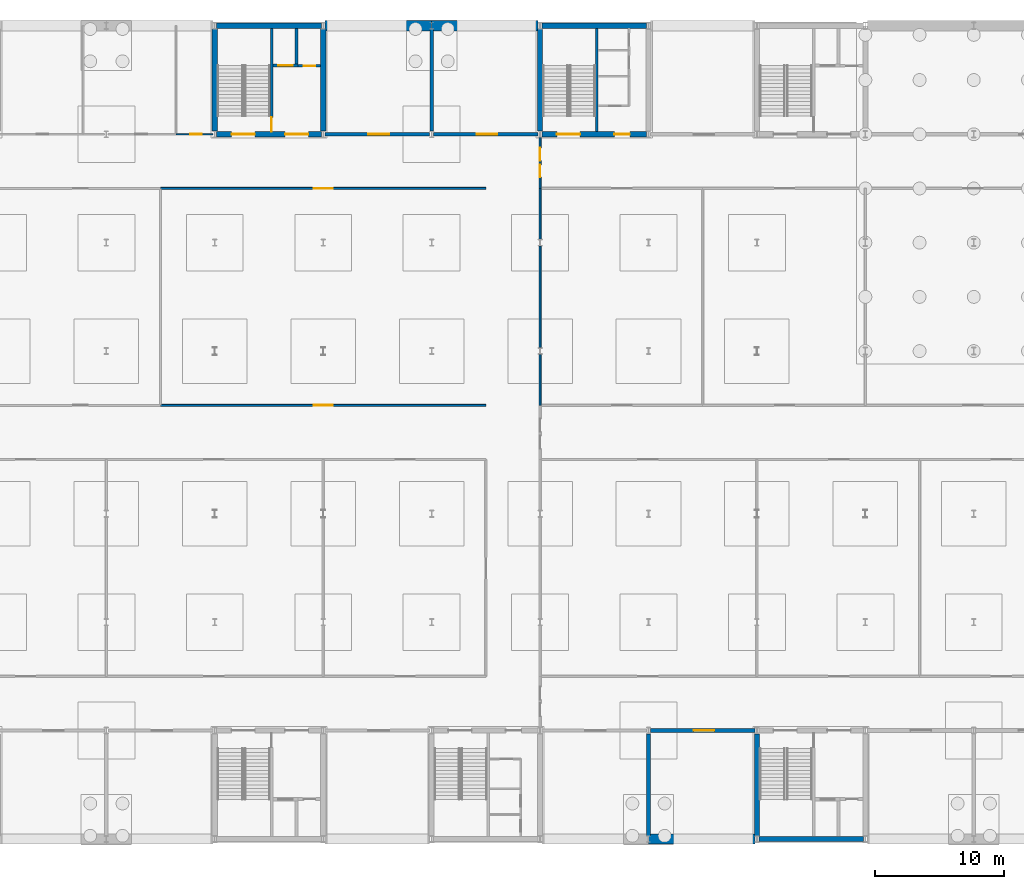
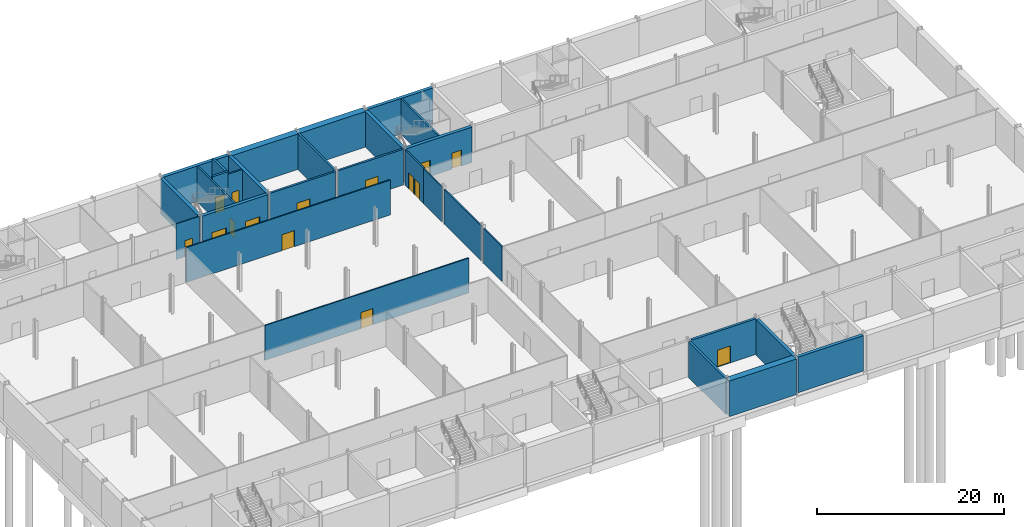
# One storey, part 15 of 22: 29 walls, 15 doors, 15 openings.
"""IFC4 building model written with IfcOpenShell, lengths in metres."""

import ifcopenshell
import ifcopenshell.guid

model = None  # the IFC model being written
_history = None  # IfcOwnerHistory: only IFC2X3 demands one
_inside = {}  # id of a spatial element -> (the spatial element, [elements in it])
_under = {}  # id of a project, library or spatial element -> (it, [spatial elements below it])
_declared = {}  # id of a project -> (the project, [libraries it declares])
_typed = {}  # id of a type object -> (the type object, [elements of that type])
_made_of = {}  # id of a material, layer set ... -> (it, [elements and type objects made of it])


def new_model(schema):
    """Start an empty IFC model of exactly this schema.

    Asked for "IFC4X3", IfcOpenShell would pick the latest addendum, in which some entities
    have other attributes; the version numbers below select the first issue.
    IFC2X3 requires an IfcOwnerHistory on every rooted entity: one is made here for all.
    """
    global model, _history
    if schema == "IFC4X3":
        model = ifcopenshell.file(schema_version=(4, 3, 0, 0))
    else:
        model = ifcopenshell.file(schema=schema)
    _inside.clear()
    _under.clear()
    _declared.clear()
    _typed.clear()
    _made_of.clear()
    _history = None
    if model.schema == "IFC2X3":
        org = make("IfcOrganization", Name="unknown")
        user = make(
            "IfcPersonAndOrganization",
            ThePerson=make("IfcPerson", FamilyName="unknown"),
            TheOrganization=org,
        )
        app = make(
            "IfcApplication",
            ApplicationDeveloper=org,
            Version="unknown",
            ApplicationFullName="unknown",
            ApplicationIdentifier="unknown",
        )
        _history = make(
            "IfcOwnerHistory",
            OwningUser=user,
            OwningApplication=app,
            ChangeAction="ADDED",
            CreationDate=0,
        )
    return model


def make(cls, **values):
    """One entity of the class cls with the attributes given. An attribute that is None is left unset."""
    return model.create_entity(
        cls, **{name: value for name, value in values.items() if value is not None}
    )


def rooted(cls, **values):
    """An entity with a GlobalId (a new one), such as an element, a storey or a relation."""
    return make(cls, GlobalId=ifcopenshell.guid.new(), OwnerHistory=_history, **values)


def si_unit(unit_type, name, prefix=None):
    """IfcSIUnit, for example si_unit("LENGTHUNIT", "METRE", prefix="MILLI")."""
    return make("IfcSIUnit", UnitType=unit_type, Prefix=prefix, Name=name)


def assignment(units):
    """IfcUnitAssignment: the units of a project."""
    return None if units is None else make("IfcUnitAssignment", Units=units)


def point(xyz):
    """IfcCartesianPoint."""
    return None if xyz is None else make("IfcCartesianPoint", Coordinates=xyz)


def direction(xyz):
    """IfcDirection."""
    return None if xyz is None else make("IfcDirection", DirectionRatios=xyz)


def frame(location, z_axis=None, x_axis=None):
    """IfcAxis2Placement3D, a coordinate frame: its origin and axes. An axis left out is left unset."""
    return make(
        "IfcAxis2Placement3D",
        Location=point(location),
        Axis=direction(z_axis),
        RefDirection=direction(x_axis),
    )


def frame_2d(location, x_axis=None):
    """IfcAxis2Placement2D, a coordinate frame in the plane: its origin and x axis."""
    return make(
        "IfcAxis2Placement2D", Location=point(location), RefDirection=direction(x_axis)
    )


def origin():
    """The frame at (0, 0, 0) with its axes left unset."""
    return frame((0.0, 0.0, 0.0))


def place(relative_to, where):
    """IfcLocalPlacement: puts the frame where relative to a parent placement (None: the world)."""
    return make(
        "IfcLocalPlacement", PlacementRelTo=relative_to, RelativePlacement=where
    )


def context(
    kind, dimensions, precision=None, world=None, true_north=None, identifier=None
):
    """IfcGeometricRepresentationContext, for example the 3D "Model" context."""
    return make(
        "IfcGeometricRepresentationContext",
        ContextIdentifier=identifier,
        ContextType=kind,
        CoordinateSpaceDimension=dimensions,
        Precision=precision,
        WorldCoordinateSystem=world,
        TrueNorth=true_north,
    )


def subcontext(parent, identifier, kind, view, scale=None):
    """IfcGeometricRepresentationSubContext, for example "Body" below "Model"."""
    return make(
        "IfcGeometricRepresentationSubContext",
        ContextIdentifier=identifier,
        ContextType=kind,
        ParentContext=parent,
        TargetScale=scale,
        TargetView=view,
    )


def project(units=None, contexts=None):
    """IfcProject with its units and contexts."""
    return rooted(
        "IfcProject",
        Name="project",
        RepresentationContexts=contexts,
        UnitsInContext=assignment(units),
    )


def spatial(cls, under=None, at=None, **own):
    """A site, building, storey or space (cls), placed at a placement, below another one or the project."""
    s = rooted(cls, ObjectPlacement=at, **own)
    if under is not None:
        _under.setdefault(under.id(), (under, []))[1].append(s)
    return s


def profile(cls, at=None, kind="AREA", **sizes):
    """A parametric profile (cls). Its sizes go by their IFC names, for example OverallWidth=200.0."""
    return make(cls, ProfileType=kind, Position=at, **sizes)


def rectangle(**sizes):
    """IfcRectangleProfileDef."""
    return profile("IfcRectangleProfileDef", **sizes)


def extrude(swept, where, along, depth):
    """IfcExtrudedAreaSolid: the profile swept, set in the frame where, extruded along a direction by depth."""
    return make(
        "IfcExtrudedAreaSolid",
        SweptArea=swept,
        Position=where,
        ExtrudedDirection=direction(along),
        Depth=depth,
    )


def shape(context_of_items, identifier, shape_type, items):
    """IfcShapeRepresentation: the items that make up one representation, for example the "Body"."""
    return make(
        "IfcShapeRepresentation",
        ContextOfItems=context_of_items,
        RepresentationIdentifier=identifier,
        RepresentationType=shape_type,
        Items=items,
    )


def material(Name=None, Category=None):
    """IfcMaterial."""
    return make("IfcMaterial", Name=Name, Category=Category)


def layer(
    of_material, thickness, ventilated=None, Name=None, Category=None, Priority=None
):
    """IfcMaterialLayer: one layer of a wall or slab, of a material (None: an air gap)."""
    return make(
        "IfcMaterialLayer",
        Material=of_material,
        LayerThickness=thickness,
        IsVentilated=ventilated,
        Name=Name,
        Category=Category,
        Priority=Priority,
    )


def layer_set(layers, Name=None):
    """IfcMaterialLayerSet."""
    return make("IfcMaterialLayerSet", MaterialLayers=layers, LayerSetName=Name)


def made_of(thing, what):
    """Note that an element or type object is made of a material, layer set ...; save() writes the relation."""
    if what is not None:
        _made_of.setdefault(what.id(), (what, []))[1].append(thing)
    return thing


def type_object(cls, material=None, **own):
    """A type object (cls), such as IfcWallType, which elements share."""
    return made_of(rooted(cls, **own), material)


def element(
    cls,
    number,
    at=None,
    inside=None,
    cuts=None,
    type_object=None,
    material=None,
    context=None,
    identifier="Body",
    shape_type=None,
    held_by="IfcProductDefinitionShape",
    body=None,
    shapes=None,
    **own,
):
    """One element of the class cls, such as IfcWall. Its Tag is "e" and its number.

    at: its placement. inside: the storey or other place that contains it. cuts: it is an
    opening in that element (IfcRelVoidsElement). A single representation is given by context,
    identifier, shape_type and body (its items); several are given by shapes. held_by: the class
    of the entity that holds the representations. save() writes the other relations.
    """
    e = rooted(cls, Tag="e%d" % number, ObjectPlacement=at, **own)
    if body is not None:
        shapes = [shape(context, identifier, shape_type, body)]
    if shapes is not None:
        e.Representation = make(held_by, Representations=shapes)
    if inside is not None:
        _inside.setdefault(inside.id(), (inside, []))[1].append(e)
    if cuts is not None:
        rooted(
            "IfcRelVoidsElement", RelatingBuildingElement=cuts, RelatedOpeningElement=e
        )
    if type_object is not None:
        _typed.setdefault(type_object.id(), (type_object, []))[1].append(e)
    return made_of(e, material)


def fill(opening, filler):
    """IfcRelFillsElement: the door or window that sits in an opening."""
    return rooted(
        "IfcRelFillsElement",
        RelatingOpeningElement=opening,
        RelatedBuildingElement=filler,
    )


def aggregate(whole, parts):
    """IfcRelAggregates: a whole, such as a stair, and the parts it consists of."""
    return rooted("IfcRelAggregates", RelatingObject=whole, RelatedObjects=parts)


def save(model, path):
    """Write the relations noted so far, then the file.

    IfcRelAggregates (storeys below a building ...), IfcRelContainedInSpatialStructure (elements
    in a storey), IfcRelDefinesByType, IfcRelAssociatesMaterial and IfcRelDeclares: one each for
    every whole, place, type object, material and project.
    """
    for whole, parts in _under.values():
        aggregate(whole, parts)
    for where, things in _inside.values():
        rooted(
            "IfcRelContainedInSpatialStructure",
            RelatedElements=things,
            RelatingStructure=where,
        )
    for kind, things in _typed.values():
        rooted("IfcRelDefinesByType", RelatedObjects=things, RelatingType=kind)
    for what, things in _made_of.values():
        rooted("IfcRelAssociatesMaterial", RelatedObjects=things, RelatingMaterial=what)
    for by, libraries in _declared.values():
        rooted("IfcRelDeclares", RelatingContext=by, RelatedDefinitions=libraries)
    model.write(path)


model = new_model("IFC4")

# Units and contexts
model_context = context("Model", 3, precision=1e-05, world=origin(), true_north=direction((0.0, 1.0)))
body_context = subcontext(model_context, "Body", "Model", "MODEL_VIEW")
ifc_project = project(units=[si_unit("LENGTHUNIT", "METRE"), si_unit("AREAUNIT", "SQUARE_METRE"), si_unit("VOLUMEUNIT", "CUBIC_METRE"), si_unit("PLANEANGLEUNIT", "RADIAN"), si_unit("MASSUNIT", "GRAM", prefix="KILO")], contexts=[model_context])

# Site, building, storey
site_placement = place(None, origin())
site = spatial("IfcSite", under=ifc_project, at=site_placement, CompositionType="ELEMENT")
building_placement = place(site_placement, origin())
building = spatial("IfcBuilding", under=site, at=building_placement, Name="Galleria Vessillo Department Store", CompositionType="ELEMENT")
storey_placement = place(building_placement, frame((0.0, 0.0, -9.89990234375)))
storey = spatial("IfcBuildingStorey", under=building, at=storey_placement, Name="B2", CompositionType="ELEMENT", Elevation=-9.89990234375)

# Walls
ifc_material_1 = material(Name="Concrete C32/40 reinforced", Category="concrete")
ifc_layer_1 = layer(ifc_material_1, 0.800048828125)
ifc_layer_set_1 = layer_set([ifc_layer_1], Name="Concrete C32/40 reinforced")
wall_type_1 = type_object("IfcWallType", Name="Diaphragm wall 800 mm", PredefinedType="SOLIDWALL", material=ifc_layer_set_1)
wall_1_placement = place(storey_placement, frame((67.199951171875, 0.0, 0.0), z_axis=(0.0, 0.0, 1.0), x_axis=(1.0, 0.0, 0.0)))
element("IfcWall", 1, at=wall_1_placement, inside=storey, type_object=wall_type_1, Name="S-BW-S-B2-06", PredefinedType="SOLIDWALL", context=body_context, shape_type="SweptSolid", body=[
    extrude(rectangle(XDim=8.250244140625, YDim=0.800048828125, at=frame_2d((4.125, 0.0))), origin(), (0.0, 0.0, 1.0), 4.64990234375),
])
wall_2_placement = place(storey_placement, frame((42.14990234375, 63.0, 0.0), z_axis=(0.0, 0.0, 1.0), x_axis=(1.0, 0.0, 0.0)))
element("IfcWall", 2, at=wall_2_placement, inside=storey, type_object=wall_type_1, Name="S-BW-N-B2-04", PredefinedType="SOLIDWALL", context=body_context, shape_type="SweptSolid", body=[
    extrude(rectangle(XDim=8.25, YDim=0.800048828125, at=frame_2d((4.125, 0.0))), origin(), (0.0, 0.0, 1.0), 4.64990234375),
])
wall_3_placement = place(storey_placement, frame((50.39990234375, 63.0, 0.0), z_axis=(0.0, 0.0, 1.0), x_axis=(1.0, 0.0, 0.0)))
element("IfcWall", 3, at=wall_3_placement, inside=storey, type_object=wall_type_1, Name="S-BW-N-B2-05", PredefinedType="SOLIDWALL", context=body_context, shape_type="SweptSolid", body=[
    extrude(rectangle(XDim=8.250244140625, YDim=0.800048828125, at=frame_2d((4.125, 0.0))), origin(), (0.0, 0.0, 1.0), 4.64990234375),
])

# Wall, opening, door
ifc_material_2 = material(Name="Brick masonry", Category="masonry")
ifc_layer_2 = layer(ifc_material_2, 0.300048828125)
ifc_layer_set_2 = layer_set([ifc_layer_2], Name="Brick masonry")
wall_type_2 = type_object("IfcWallType", Name="Electrical room masonry wall 300 mm", PredefinedType="SOLIDWALL", material=ifc_layer_set_2)
wall_4_placement = place(storey_placement, frame((67.349853515625, 8.39990234375, 0.0), z_axis=(0.0, 0.0, 1.0), x_axis=(1.0, 0.0, 0.0)))
wall_4 = element("IfcWall", 4, at=wall_4_placement, inside=storey, type_object=wall_type_2, Name="Partition wall PT11 on B2 no. 023", PredefinedType="SOLIDWALL", context=body_context, shape_type="SweptSolid", body=[
    extrude(rectangle(XDim=8.100341796875, YDim=0.300048828125, at=frame_2d((4.05029296875, 0.0))), origin(), (0.0, 0.0, 1.0), 4.64990234375),
])
opening_1_placement = place(wall_4_placement, frame((3.35009765625, 0.0, 0.0)))
opening_1 = element("IfcOpeningElement", 5, at=opening_1_placement, cuts=wall_4, Name="Opening D2018", PredefinedType="OPENING", context=body_context, shape_type="SweptSolid", body=[
    extrude(rectangle(XDim=1.60009765625, YDim=2.199951171875, at=frame_2d((0.800048828125, 1.10009765625))), frame((0.0, 0.16015625, 0.0), z_axis=(0.0, -1.0, 0.0), x_axis=(1.0, 0.0, 0.0)), (0.0, 0.0, 1.0), 0.320068359375),
])
ifc_material_3 = material(Name="Steel fire door leaf", Category="steel")
door_type_1 = type_object("IfcDoorType", Name="Plant room fire door 1600 x 2200 double leaf", OperationType="DOUBLE_DOOR_SINGLE_SWING", PredefinedType="DOOR", material=ifc_material_3)
door_1_placement = place(opening_1_placement, frame((1.60009765625, 0.0, 0.0), z_axis=(0.0, 0.0, 1.0), x_axis=(-1.0, 0.0, 0.0)))
door_1 = element("IfcDoor", 6, at=door_1_placement, inside=storey, type_object=door_type_1, Name="Door D2018", OperationType="DOUBLE_DOOR_SINGLE_SWING", OverallHeight=2.199951171875, OverallWidth=1.60009765625, PredefinedType="DOOR", context=body_context, shape_type="SweptSolid", body=[
    extrude(rectangle(XDim=1.60009765625, YDim=2.199951171875, at=frame_2d((0.800048828125, 1.10009765625))), frame((0.0, 0.02490234375, 0.0), z_axis=(0.0, -1.0, 0.0), x_axis=(1.0, 0.0, 0.0)), (0.0, 0.0, 1.0), 0.050048828125),
])
fill(opening_1, door_1)

# Wall
wall_5_placement = place(storey_placement, frame((67.199951171875, 0.25, 0.0), z_axis=(0.0, 0.0, 1.0), x_axis=(0.0, 1.0, 0.0)))
element("IfcWall", 7, at=wall_5_placement, inside=storey, type_object=wall_type_2, Name="Partition wall PT11 on B2 no. 072", PredefinedType="SOLIDWALL", context=body_context, shape_type="SweptSolid", body=[
    extrude(rectangle(XDim=7.89990234375, YDim=0.300048828125, at=frame_2d((3.949951171875, 0.0))), origin(), (0.0, 0.0, 1.0), 4.64990234375),
])

# Wall, openings, doors
ifc_material_4 = material(Name="Concrete blockwork", Category="masonry")
ifc_layer_3 = layer(ifc_material_4, 0.14990234375)
ifc_layer_set_3 = layer_set([ifc_layer_3], Name="Concrete blockwork")
wall_type_3 = type_object("IfcWallType", Name="Fire-resisting dividing wall EI 120 150 mm", PredefinedType="SOLIDWALL", material=ifc_layer_set_3)
wall_6_placement = place(storey_placement, frame((58.800048828125, 50.39990234375, 0.0), z_axis=(0.0, 0.0, 1.0), x_axis=(0.0, 1.0, 0.0)))
wall_6 = element("IfcWall", 8, at=wall_6_placement, inside=storey, type_object=wall_type_3, Name="Partition wall PT12 on B2 no. 046", PredefinedType="SOLIDWALL", context=body_context, shape_type="SweptSolid", body=[
    extrude(rectangle(XDim=3.9501953125, YDim=0.14990234375, at=frame_2d((1.97509765625, 0.0))), origin(), (0.0, 0.0, 1.0), 4.64990234375),
])
opening_2_placement = place(wall_6_placement, frame((0.85009765625, 0.0, 0.0)))
opening_2 = element("IfcOpeningElement", 9, at=opening_2_placement, cuts=wall_6, Name="Opening D2042", PredefinedType="OPENING", context=body_context, shape_type="SweptSolid", body=[
    extrude(rectangle(XDim=1.0, YDim=2.10009765625, at=frame_2d((0.5, 1.050048828125))), frame((0.0, 0.0849609375, 0.0), z_axis=(0.0, -1.0, 0.0), x_axis=(1.0, 0.0, 0.0)), (0.0, 0.0, 1.0), 0.169921875),
])
opening_3_placement = place(wall_6_placement, frame((2.14990234375, 0.0, 0.0)))
opening_3 = element("IfcOpeningElement", 10, at=opening_3_placement, cuts=wall_6, Name="Opening D2043", PredefinedType="OPENING", context=body_context, shape_type="SweptSolid", body=[
    extrude(rectangle(XDim=1.0, YDim=2.10009765625, at=frame_2d((0.5, 1.050048828125))), frame((0.0, 0.0849609375, 0.0), z_axis=(0.0, -1.0, 0.0), x_axis=(1.0, 0.0, 0.0)), (0.0, 0.0, 1.0), 0.169921875),
])
ifc_material_5 = material(Name="Steel fire door leaf", Category="steel")
door_type_2 = type_object("IfcDoorType", Name="Fire door EI2 120-Sa 1000 single leaf", OperationType="SINGLE_SWING_LEFT", PredefinedType="DOOR", material=ifc_material_5)
door_2_placement = place(opening_2_placement, origin())
door_2 = element("IfcDoor", 11, at=door_2_placement, inside=storey, type_object=door_type_2, Name="Door D2042", OperationType="SINGLE_SWING_LEFT", OverallHeight=2.10009765625, OverallWidth=1.0, PredefinedType="DOOR", context=body_context, shape_type="SweptSolid", body=[
    extrude(rectangle(XDim=1.0, YDim=2.10009765625, at=frame_2d((0.5, 1.050048828125))), frame((0.0, 0.02490234375, 0.0), z_axis=(0.0, -1.0, 0.0), x_axis=(1.0, 0.0, 0.0)), (0.0, 0.0, 1.0), 0.050048828125),
])
fill(opening_2, door_2)
door_3_placement = place(opening_3_placement, frame((1.0, 0.0, 0.0), z_axis=(0.0, 0.0, 1.0), x_axis=(-1.0, 0.0, 0.0)))
door_3 = element("IfcDoor", 12, at=door_3_placement, inside=storey, type_object=door_type_2, Name="Door D2043", OperationType="SINGLE_SWING_LEFT", OverallHeight=2.10009765625, OverallWidth=1.0, PredefinedType="DOOR", context=body_context, shape_type="SweptSolid", body=[
    extrude(rectangle(XDim=1.0, YDim=2.10009765625, at=frame_2d((0.5, 1.050048828125))), frame((0.0, 0.02490234375, 0.0), z_axis=(0.0, -1.0, 0.0), x_axis=(1.0, 0.0, 0.0)), (0.0, 0.0, 1.0), 0.050048828125),
])
fill(opening_3, door_3)

# Wall, opening, door
ifc_material_6 = material(Name="Solid clay block masonry", Category="masonry")
ifc_layer_4 = layer(ifc_material_6, 0.25)
ifc_layer_set_4 = layer_set([ifc_layer_4], Name="Solid clay block masonry")
wall_type_4 = type_object("IfcWallType", Name="Lift shaft wall 250 mm", PredefinedType="SOLIDWALL", material=ifc_layer_set_4)
wall_7_placement = place(storey_placement, frame((38.10009765625, 59.925048828125, -1.400146484375), z_axis=(0.0, 0.0, 1.0), x_axis=(1.0, 0.0, 0.0)))
wall_7 = element("IfcWall", 13, at=wall_7_placement, inside=storey, type_object=wall_type_4, Name="Lift shaft wall LP4 landing side B2", PredefinedType="SOLIDWALL", context=body_context, shape_type="SweptSolid", body=[
    extrude(rectangle(XDim=1.949951171875, YDim=0.25, at=frame_2d((0.97509765625, 0.0))), origin(), (0.0, 0.0, 1.0), 6.400146484375),
])
opening_4_placement = place(wall_7_placement, frame((0.4248046875, 0.0, 1.400146484375)))
opening_4 = element("IfcOpeningElement", 14, at=opening_4_placement, cuts=wall_7, Name="Opening LD025", PredefinedType="OPENING", context=body_context, shape_type="SweptSolid", body=[
    extrude(rectangle(XDim=1.10009765625, YDim=2.10009765625, at=frame_2d((0.550048828125, 1.050048828125))), frame((0.0, 0.135009765625, 0.0), z_axis=(0.0, -1.0, 0.0), x_axis=(1.0, 0.0, 0.0)), (0.0, 0.0, 1.0), 0.27001953125),
])
ifc_material_7 = material(Name="Stainless steel lift door panel", Category="steel")
door_type_3 = type_object("IfcDoorType", Name="Lift landing door LD110 sliding 1100 x 2100", OperationType="SLIDING_TO_LEFT", PredefinedType="DOOR", material=ifc_material_7)
door_4_placement = place(opening_4_placement, frame((1.10009765625, 0.0, 0.0), z_axis=(0.0, 0.0, 1.0), x_axis=(-1.0, 0.0, 0.0)))
door_4 = element("IfcDoor", 15, at=door_4_placement, inside=storey, type_object=door_type_3, Name="Lift landing door LP4 B2", OperationType="SLIDING_TO_RIGHT", OverallHeight=2.10009765625, OverallWidth=1.10009765625, PredefinedType="DOOR", context=body_context, shape_type="SweptSolid", body=[
    extrude(rectangle(XDim=1.10009765625, YDim=2.10009765625, at=frame_2d((0.550048828125, 1.050048828125))), frame((0.0, 0.02490234375, 0.0), z_axis=(0.0, -1.0, 0.0), x_axis=(1.0, 0.0, 0.0)), (0.0, 0.0, 1.0), 0.050048828125),
])
fill(opening_4, door_4)

# Wall
wall_8_placement = place(storey_placement, frame((39.925048828125, 62.800048828125, -1.400146484375), z_axis=(0.0, 0.0, 1.0), x_axis=(0.0, -1.0, 0.0)))
element("IfcWall", 16, at=wall_8_placement, inside=storey, type_object=wall_type_4, Name="Lift shaft wall LP4 B2", PredefinedType="SOLIDWALL", context=body_context, shape_type="SweptSolid", body=[
    extrude(rectangle(XDim=2.75, YDim=0.25, at=frame_2d((1.375, 0.0))), origin(), (0.0, 0.0, 1.0), 6.400146484375),
])

# Wall, opening, door
ifc_material_8 = material(Name="Brick masonry", Category="masonry")
ifc_layer_5 = layer(ifc_material_8, 0.25)
ifc_layer_set_5 = layer_set([ifc_layer_5], Name="Brick masonry")
wall_type_5 = type_object("IfcWallType", Name="Plant room masonry wall 250 mm", PredefinedType="SOLIDWALL", material=ifc_layer_set_5)
wall_9_placement = place(storey_placement, frame((42.14990234375, 54.60009765625, 0.0), z_axis=(0.0, 0.0, 1.0), x_axis=(1.0, 0.0, 0.0)))
wall_9 = element("IfcWall", 17, at=wall_9_placement, inside=storey, type_object=wall_type_5, Name="Partition wall PT10 on B2 no. 055", PredefinedType="SOLIDWALL", context=body_context, shape_type="SweptSolid", body=[
    extrude(rectangle(XDim=8.10009765625, YDim=0.25, at=frame_2d((4.050048828125, 0.0))), origin(), (0.0, 0.0, 1.0), 4.64990234375),
])
opening_5_placement = place(wall_9_placement, frame((3.35009765625, 0.0, 0.0)))
opening_5 = element("IfcOpeningElement", 18, at=opening_5_placement, cuts=wall_9, Name="Opening D2051", PredefinedType="OPENING", context=body_context, shape_type="SweptSolid", body=[
    extrude(rectangle(XDim=1.60009765625, YDim=2.199951171875, at=frame_2d((0.800048828125, 1.10009765625))), frame((0.0, 0.135009765625, 0.0), z_axis=(0.0, -1.0, 0.0), x_axis=(1.0, 0.0, 0.0)), (0.0, 0.0, 1.0), 0.27001953125),
])
door_5_placement = place(opening_5_placement, origin())
door_5 = element("IfcDoor", 19, at=door_5_placement, inside=storey, type_object=door_type_1, Name="Door D2051", OperationType="DOUBLE_DOOR_SINGLE_SWING", OverallHeight=2.199951171875, OverallWidth=1.60009765625, PredefinedType="DOOR", context=body_context, shape_type="SweptSolid", body=[
    extrude(rectangle(XDim=1.60009765625, YDim=2.199951171875, at=frame_2d((0.800048828125, 1.10009765625))), frame((0.0, 0.02490234375, 0.0), z_axis=(0.0, -1.0, 0.0), x_axis=(1.0, 0.0, 0.0)), (0.0, 0.0, 1.0), 0.050048828125),
])
fill(opening_5, door_5)

wall_10_placement = place(storey_placement, frame((50.5498046875, 54.60009765625, 0.0), z_axis=(0.0, 0.0, 1.0), x_axis=(1.0, 0.0, 0.0)))
wall_10 = element("IfcWall", 20, at=wall_10_placement, inside=storey, type_object=wall_type_5, Name="Partition wall PT10 on B2 no. 056", PredefinedType="SOLIDWALL", context=body_context, shape_type="SweptSolid", body=[
    extrude(rectangle(XDim=8.100341796875, YDim=0.25, at=frame_2d((4.05029296875, 0.0))), origin(), (0.0, 0.0, 1.0), 4.64990234375),
])
opening_6_placement = place(wall_10_placement, frame((3.35009765625, 0.0, 0.0)))
opening_6 = element("IfcOpeningElement", 21, at=opening_6_placement, cuts=wall_10, Name="Opening D2052", PredefinedType="OPENING", context=body_context, shape_type="SweptSolid", body=[
    extrude(rectangle(XDim=1.60009765625, YDim=2.199951171875, at=frame_2d((0.800048828125, 1.10009765625))), frame((0.0, 0.135009765625, 0.0), z_axis=(0.0, -1.0, 0.0), x_axis=(1.0, 0.0, 0.0)), (0.0, 0.0, 1.0), 0.27001953125),
])
door_6_placement = place(opening_6_placement, origin())
door_6 = element("IfcDoor", 22, at=door_6_placement, inside=storey, type_object=door_type_1, Name="Door D2052", OperationType="DOUBLE_DOOR_SINGLE_SWING", OverallHeight=2.199951171875, OverallWidth=1.60009765625, PredefinedType="DOOR", context=body_context, shape_type="SweptSolid", body=[
    extrude(rectangle(XDim=1.60009765625, YDim=2.199951171875, at=frame_2d((0.800048828125, 1.10009765625))), frame((0.0, 0.02490234375, 0.0), z_axis=(0.0, -1.0, 0.0), x_axis=(1.0, 0.0, 0.0)), (0.0, 0.0, 1.0), 0.050048828125),
])
fill(opening_6, door_6)

# Wall
wall_11_placement = place(storey_placement, frame((50.39990234375, 54.85009765625, 0.0), z_axis=(0.0, 0.0, 1.0), x_axis=(0.0, 1.0, 0.0)))
element("IfcWall", 23, at=wall_11_placement, inside=storey, type_object=wall_type_5, Name="Partition wall PT10 on B2 no. 100", PredefinedType="SOLIDWALL", context=body_context, shape_type="SweptSolid", body=[
    extrude(rectangle(XDim=7.89990234375, YDim=0.25, at=frame_2d((3.949951171875, 0.0))), origin(), (0.0, 0.0, 1.0), 4.64990234375),
])

# Wall, openings, doors
ifc_material_9 = material(Name="Concrete C32/40 reinforced", Category="concrete")
ifc_layer_6 = layer(ifc_material_9, 0.39990234375)
ifc_layer_set_6 = layer_set([ifc_layer_6], Name="Concrete C32/40 reinforced")
wall_type_6 = type_object("IfcWallType", Name="Reinforced concrete core wall 400 mm", PredefinedType="SHEAR", material=ifc_layer_set_6)
wall_12_placement = place(storey_placement, frame((33.75, 54.60009765625, 0.0), z_axis=(0.0, 0.0, 1.0), x_axis=(1.0, 0.0, 0.0)))
wall_12 = element("IfcWall", 24, at=wall_12_placement, inside=storey, type_object=wall_type_6, Name="S-CW-PC-NM-INTERIOR-B2", PredefinedType="SHEAR", context=body_context, shape_type="SweptSolid", body=[
    extrude(rectangle(XDim=8.10009765625, YDim=0.39990234375, at=frame_2d((4.050048828125, 0.0))), origin(), (0.0, 0.0, 1.0), 4.64990234375),
])
opening_7_placement = place(wall_12_placement, frame((1.14990234375, 0.0, 0.0)))
opening_7 = element("IfcOpeningElement", 25, at=opening_7_placement, cuts=wall_12, Name="Opening D5098", PredefinedType="OPENING", context=body_context, shape_type="SweptSolid", body=[
    extrude(rectangle(XDim=1.800048828125, YDim=2.10009765625, at=frame_2d((0.89990234375, 1.050048828125))), frame((0.0, 0.2099609375, 0.0), z_axis=(0.0, -1.0, 0.0), x_axis=(1.0, 0.0, 0.0)), (0.0, 0.0, 1.0), 0.419921875),
])
opening_8_placement = place(wall_12_placement, frame((5.2998046875, 0.0, 0.0)))
opening_8 = element("IfcOpeningElement", 26, at=opening_8_placement, cuts=wall_12, Name="Opening D5099", PredefinedType="OPENING", context=body_context, shape_type="SweptSolid", body=[
    extrude(rectangle(XDim=1.800048828125, YDim=2.10009765625, at=frame_2d((0.89990234375, 1.050048828125))), frame((0.0, 0.2099609375, 0.0), z_axis=(0.0, -1.0, 0.0), x_axis=(1.0, 0.0, 0.0)), (0.0, 0.0, 1.0), 0.419921875),
])
ifc_material_10 = material(Name="Fire-rated steel door leaf", Category="steel")
door_type_4 = type_object("IfcDoorType", Name="Door D180F double leaf 1800 x 2100", OperationType="DOUBLE_DOOR_SINGLE_SWING", PredefinedType="DOOR", material=ifc_material_10)
door_7_placement = place(opening_7_placement, origin())
door_7 = element("IfcDoor", 27, at=door_7_placement, inside=storey, type_object=door_type_4, Name="Lobby door PC-NM-ST-FLOOR B2", OperationType="DOUBLE_DOOR_SINGLE_SWING", OverallHeight=2.10009765625, OverallWidth=1.800048828125, PredefinedType="DOOR", context=body_context, shape_type="SweptSolid", body=[
    extrude(rectangle(XDim=1.800048828125, YDim=2.10009765625, at=frame_2d((0.89990234375, 1.050048828125))), frame((0.0, 0.02490234375, 0.0), z_axis=(0.0, -1.0, 0.0), x_axis=(1.0, 0.0, 0.0)), (0.0, 0.0, 1.0), 0.050048828125),
])
fill(opening_7, door_7)
door_8_placement = place(opening_8_placement, frame((1.800048828125, 0.0, 0.0), z_axis=(0.0, 0.0, 1.0), x_axis=(-1.0, 0.0, 0.0)))
door_8 = element("IfcDoor", 28, at=door_8_placement, inside=storey, type_object=door_type_4, Name="Lobby door PC-NM-LOBBY-FLOOR B2", OperationType="DOUBLE_DOOR_SINGLE_SWING", OverallHeight=2.10009765625, OverallWidth=1.800048828125, PredefinedType="DOOR", context=body_context, shape_type="SweptSolid", body=[
    extrude(rectangle(XDim=1.800048828125, YDim=2.10009765625, at=frame_2d((0.89990234375, 1.050048828125))), frame((0.0, 0.02490234375, 0.0), z_axis=(0.0, -1.0, 0.0), x_axis=(1.0, 0.0, 0.0)), (0.0, 0.0, 1.0), 0.050048828125),
])
fill(opening_8, door_8)

# Walls
for number, where, z_axis, x_axis, name in (
    (29, (33.60009765625, 54.85009765625, 0.0), (0.0, 0.0, 1.0), (0.0, 1.0, 0.0), "S-CW-PC-NM-WEST-B2"),
    (30, (42.0, 54.85009765625, 0.0), (0.0, 0.0, 1.0), (0.0, 1.0, 0.0), "S-CW-PC-NM-EAST-B2"),
    (31, (75.60009765625, 0.25, 0.0), (0.0, 0.0, 1.0), (0.0, 1.0, 0.0), "S-CW-PC-SE-WEST-B2"),
):
    element("IfcWall", number, at=place(storey_placement, frame(where, z_axis=z_axis, x_axis=x_axis)), inside=storey, type_object=wall_type_6, Name=name, PredefinedType="SHEAR", context=body_context, shape_type="SweptSolid", body=[
        extrude(rectangle(XDim=7.89990234375, YDim=0.39990234375, at=frame_2d((3.949951171875, 0.0))), origin(), (0.0, 0.0, 1.0), 4.64990234375),
    ])

# Wall, openings, doors
wall_13_placement = place(storey_placement, frame((58.949951171875, 54.60009765625, 0.0), z_axis=(0.0, 0.0, 1.0), x_axis=(1.0, 0.0, 0.0)))
wall_13 = element("IfcWall", 32, at=wall_13_placement, inside=storey, type_object=wall_type_6, Name="S-CW-PC-NC-INTERIOR-B2", PredefinedType="SHEAR", context=body_context, shape_type="SweptSolid", body=[
    extrude(rectangle(XDim=8.10009765625, YDim=0.39990234375, at=frame_2d((4.050048828125, 0.0))), origin(), (0.0, 0.0, 1.0), 4.64990234375),
])
opening_9_placement = place(wall_13_placement, frame((1.14990234375, 0.0, 0.0)))
opening_9 = element("IfcOpeningElement", 33, at=opening_9_placement, cuts=wall_13, Name="Opening D5204", PredefinedType="OPENING", context=body_context, shape_type="SweptSolid", body=[
    extrude(rectangle(XDim=1.800048828125, YDim=2.10009765625, at=frame_2d((0.89990234375, 1.050048828125))), frame((0.0, 0.2099609375, 0.0), z_axis=(0.0, -1.0, 0.0), x_axis=(1.0, 0.0, 0.0)), (0.0, 0.0, 1.0), 0.419921875),
])
opening_10_placement = place(wall_13_placement, frame((5.599853515625, 0.0, 0.0)))
opening_10 = element("IfcOpeningElement", 34, at=opening_10_placement, cuts=wall_13, Name="Opening D5205", PredefinedType="OPENING", context=body_context, shape_type="SweptSolid", body=[
    extrude(rectangle(XDim=1.199951171875, YDim=2.10009765625, at=frame_2d((0.60009765625, 1.050048828125))), frame((0.0, 0.2099609375, 0.0), z_axis=(0.0, -1.0, 0.0), x_axis=(1.0, 0.0, 0.0)), (0.0, 0.0, 1.0), 0.419921875),
])
ifc_material_11 = material(Name="Fire-rated steel door leaf", Category="steel")
door_type_5 = type_object("IfcDoorType", Name="Door D120F fire door 1200 x 2100", OperationType="SINGLE_SWING_LEFT", PredefinedType="DOOR", material=ifc_material_11)
door_9_placement = place(opening_10_placement, origin())
door_9 = element("IfcDoor", 35, at=door_9_placement, inside=storey, type_object=door_type_5, Name="Lobby door PC-NC-WC-FLOOR B2", OperationType="SINGLE_SWING_RIGHT", OverallHeight=2.10009765625, OverallWidth=1.199951171875, PredefinedType="DOOR", context=body_context, shape_type="SweptSolid", body=[
    extrude(rectangle(XDim=1.199951171875, YDim=2.10009765625, at=frame_2d((0.60009765625, 1.050048828125))), frame((0.0, 0.02490234375, 0.0), z_axis=(0.0, -1.0, 0.0), x_axis=(1.0, 0.0, 0.0)), (0.0, 0.0, 1.0), 0.050048828125),
])
fill(opening_10, door_9)
door_10_placement = place(opening_9_placement, origin())
door_10 = element("IfcDoor", 36, at=door_10_placement, inside=storey, type_object=door_type_4, Name="Lobby door PC-NC-ST-FLOOR B2", OperationType="DOUBLE_DOOR_SINGLE_SWING", OverallHeight=2.10009765625, OverallWidth=1.800048828125, PredefinedType="DOOR", context=body_context, shape_type="SweptSolid", body=[
    extrude(rectangle(XDim=1.800048828125, YDim=2.10009765625, at=frame_2d((0.89990234375, 1.050048828125))), frame((0.0, 0.02490234375, 0.0), z_axis=(0.0, -1.0, 0.0), x_axis=(1.0, 0.0, 0.0)), (0.0, 0.0, 1.0), 0.050048828125),
])
fill(opening_9, door_10)

# Walls
wall_14_placement = place(storey_placement, frame((58.800048828125, 54.85009765625, 0.0), z_axis=(0.0, 0.0, 1.0), x_axis=(0.0, 1.0, 0.0)))
element("IfcWall", 37, at=wall_14_placement, inside=storey, type_object=wall_type_6, Name="S-CW-PC-NC-WEST-B2", PredefinedType="SHEAR", context=body_context, shape_type="SweptSolid", body=[
    extrude(rectangle(XDim=7.89990234375, YDim=0.39990234375, at=frame_2d((3.949951171875, 0.0))), origin(), (0.0, 0.0, 1.0), 4.64990234375),
])
ifc_material_12 = material(Name="Concrete C32/40 reinforced", Category="concrete")
ifc_layer_7 = layer(ifc_material_12, 0.39990234375)
ifc_layer_set_7 = layer_set([ifc_layer_7], Name="Concrete C32/40 reinforced")
wall_type_7 = type_object("IfcWallType", Name="Reinforced concrete core wall 400 mm, external", PredefinedType="SHEAR", material=ifc_layer_set_7)
for number, where, z_axis, x_axis, name in (
    (38, (33.75, 63.0, 0.0), (0.0, 0.0, 1.0), (1.0, 0.0, 0.0), "S-CW-PC-NM-PARTY-B2"),
    (39, (75.75, 0.0, 0.0), (0.0, 0.0, 1.0), (1.0, 0.0, 0.0), "S-CW-PC-SE-PARTY-B2"),
    (40, (58.949951171875, 63.0, 0.0), (0.0, 0.0, 1.0), (1.0, 0.0, 0.0), "S-CW-PC-NC-PARTY-B2"),
):
    element("IfcWall", number, at=place(storey_placement, frame(where, z_axis=z_axis, x_axis=x_axis)), inside=storey, type_object=wall_type_7, Name=name, PredefinedType="SHEAR", context=body_context, shape_type="SweptSolid", body=[
        extrude(rectangle(XDim=8.10009765625, YDim=0.39990234375, at=frame_2d((4.050048828125, 0.0))), origin(), (0.0, 0.0, 1.0), 4.64990234375),
    ])

# Wall, opening, door
ifc_material_13 = material(Name="Concrete C32/40 reinforced", Category="concrete")
ifc_layer_8 = layer(ifc_material_13, 0.199951171875)
ifc_layer_set_8 = layer_set([ifc_layer_8], Name="Concrete C32/40 reinforced")
wall_type_8 = type_object("IfcWallType", Name="Reinforced concrete stair enclosure wall 200 mm", PredefinedType="SHEAR", material=ifc_layer_set_8)
wall_15_placement = place(storey_placement, frame((38.0, 62.800048828125, 0.0), z_axis=(0.0, 0.0, 1.0), x_axis=(0.0, -1.0, 0.0)))
wall_15 = element("IfcWall", 41, at=wall_15_placement, inside=storey, type_object=wall_type_8, Name="Stair enclosure wall PC-NM B2", PredefinedType="SHEAR", context=body_context, shape_type="SweptSolid", body=[
    extrude(rectangle(XDim=8.0, YDim=0.199951171875, at=frame_2d((4.0, 0.0))), origin(), (0.0, 0.0, 1.0), 4.64990234375),
])
opening_11_placement = place(wall_15_placement, frame((6.89990234375, 0.0, 0.0)))
opening_11 = element("IfcOpeningElement", 42, at=opening_11_placement, cuts=wall_15, Name="Opening D5096", PredefinedType="OPENING", context=body_context, shape_type="SweptSolid", body=[
    extrude(rectangle(XDim=1.11009765625, YDim=2.10009765625, at=frame_2d((0.554931640625, 1.050048828125))), frame((0.0, 0.10986328125, 0.0), z_axis=(0.0, -1.0, 0.0), x_axis=(1.0, 0.0, 0.0)), (0.0, 0.0, 1.0), 0.219970703125),
])
ifc_material_14 = material(Name="Fire-rated steel door leaf", Category="steel")
door_type_6 = type_object("IfcDoorType", Name="Door D110F stair door 1100 x 2100", OperationType="SINGLE_SWING_LEFT", PredefinedType="DOOR", material=ifc_material_14)
door_11_placement = place(opening_11_placement, frame((1.10009765625, 0.0, 0.0), z_axis=(0.0, 0.0, 1.0), x_axis=(-1.0, 0.0, 0.0)))
door_11 = element("IfcDoor", 43, at=door_11_placement, inside=storey, type_object=door_type_6, Name="Stair door PC-NM-ST-LOBBY B2", OperationType="SINGLE_SWING_LEFT", OverallHeight=2.10009765625, OverallWidth=1.10009765625, PredefinedType="DOOR", context=body_context, shape_type="SweptSolid", body=[
    extrude(rectangle(XDim=1.10009765625, YDim=2.10009765625, at=frame_2d((0.550048828125, 1.050048828125))), frame((0.0, 0.02490234375, 0.0), z_axis=(0.0, -1.0, 0.0), x_axis=(1.0, 0.0, 0.0)), (0.0, 0.0, 1.0), 0.050048828125),
])
fill(opening_11, door_11)

# Wall
wall_16_placement = place(storey_placement, frame((63.199951171875, 62.800048828125, 0.0), z_axis=(0.0, 0.0, 1.0), x_axis=(0.0, -1.0, 0.0)))
element("IfcWall", 44, at=wall_16_placement, inside=storey, type_object=wall_type_8, Name="Stair enclosure wall PC-NC B2", PredefinedType="SHEAR", context=body_context, shape_type="SweptSolid", body=[
    extrude(rectangle(XDim=8.0, YDim=0.199951171875, at=frame_2d((4.0, 0.0))), origin(), (0.0, 0.0, 1.0), 4.64990234375),
])

# Wall, opening, door
ifc_material_15 = material(Name="Hollow clay block masonry", Category="masonry")
ifc_layer_9 = layer(ifc_material_15, 0.199951171875)
ifc_layer_set_9 = layer_set([ifc_layer_9], Name="Hollow clay block masonry")
wall_type_9 = type_object("IfcWallType", Name="Riser and service room wall 200 mm", PredefinedType="PARTITIONING", material=ifc_layer_set_9)
wall_17_placement = place(storey_placement, frame((40.050048828125, 59.900146484375, 0.0), z_axis=(0.0, 0.0, 1.0), x_axis=(1.0, 0.0, 0.0)))
wall_17 = element("IfcWall", 45, at=wall_17_placement, inside=storey, type_object=wall_type_9, Name="Riser wall PC-NM-RISER B2", PredefinedType="PARTITIONING", context=body_context, shape_type="SweptSolid", body=[
    extrude(rectangle(XDim=1.75, YDim=0.199951171875, at=frame_2d((0.875, 0.0))), origin(), (0.0, 0.0, 1.0), 4.64990234375),
])
opening_12_placement = place(wall_17_placement, frame((0.449951171875, 0.0, 0.0)))
opening_12 = element("IfcOpeningElement", 46, at=opening_12_placement, cuts=wall_17, Name="Opening D5097", PredefinedType="OPENING", context=body_context, shape_type="SweptSolid", body=[
    extrude(rectangle(XDim=0.89990234375, YDim=2.10009765625, at=frame_2d((0.449951171875, 1.050048828125))), frame((0.0, 0.10986328125, 0.0), z_axis=(0.0, -1.0, 0.0), x_axis=(1.0, 0.0, 0.0)), (0.0, 0.0, 1.0), 0.219970703125),
])
ifc_material_16 = material(Name="Fire-rated steel door leaf", Category="steel")
door_type_7 = type_object("IfcDoorType", Name="Door DR90 riser access 900 x 2100", OperationType="SINGLE_SWING_LEFT", PredefinedType="DOOR", material=ifc_material_16)
door_12_placement = place(opening_12_placement, origin())
door_12 = element("IfcDoor", 47, at=door_12_placement, inside=storey, type_object=door_type_7, Name="Riser door PC-NM-RISER-D B2", OperationType="SINGLE_SWING_RIGHT", OverallHeight=2.10009765625, OverallWidth=0.89990234375, PredefinedType="DOOR", context=body_context, shape_type="SweptSolid", body=[
    extrude(rectangle(XDim=0.89990234375, YDim=2.10009765625, at=frame_2d((0.449951171875, 1.050048828125))), frame((0.0, 0.02490234375, 0.0), z_axis=(0.0, -1.0, 0.0), x_axis=(1.0, 0.0, 0.0)), (0.0, 0.0, 1.0), 0.050048828125),
])
fill(opening_12, door_12)

ifc_material_17 = material(Name="Concrete blockwork", Category="masonry")
ifc_layer_10 = layer(ifc_material_17, 0.14990234375)
ifc_layer_set_10 = layer_set([ifc_layer_10], Name="Concrete blockwork")
wall_type_10 = type_object("IfcWallType", Name="Stockroom blockwork wall 150 mm", PredefinedType="SOLIDWALL", material=ifc_layer_set_10)
wall_18_placement = place(storey_placement, frame((29.39990234375, 33.60009765625, 0.0), z_axis=(0.0, 0.0, 1.0), x_axis=(1.0, 0.0, 0.0)))
wall_18 = element("IfcWall", 48, at=wall_18_placement, inside=storey, type_object=wall_type_10, Name="Partition wall PT4 on B2 no. 037", PredefinedType="SOLIDWALL", context=body_context, shape_type="SweptSolid", body=[
    extrude(rectangle(XDim=25.2001953125, YDim=0.14990234375, at=frame_2d((12.60009765625, 0.0))), origin(), (0.0, 0.0, 1.0), 4.550048828125),
])
opening_13_placement = place(wall_18_placement, frame((11.85009765625, 0.0, 0.0)))
opening_13 = element("IfcOpeningElement", 49, at=opening_13_placement, cuts=wall_18, Name="Opening D2033", PredefinedType="OPENING", context=body_context, shape_type="SweptSolid", body=[
    extrude(rectangle(XDim=1.5, YDim=2.10009765625, at=frame_2d((0.75, 1.050048828125))), frame((0.0, 0.0849609375, 0.0), z_axis=(0.0, -1.0, 0.0), x_axis=(1.0, 0.0, 0.0)), (0.0, 0.0, 1.0), 0.169921875),
])
ifc_material_18 = material(Name="Steel fire door leaf", Category="steel")
door_type_8 = type_object("IfcDoorType", Name="Stockroom fire door 1500 double leaf", OperationType="DOUBLE_DOOR_SINGLE_SWING", PredefinedType="DOOR", material=ifc_material_18)
door_13_placement = place(opening_13_placement, origin())
door_13 = element("IfcDoor", 50, at=door_13_placement, inside=storey, type_object=door_type_8, Name="Door D2033", OperationType="DOUBLE_DOOR_SINGLE_SWING", OverallHeight=2.10009765625, OverallWidth=1.5, PredefinedType="DOOR", context=body_context, shape_type="SweptSolid", body=[
    extrude(rectangle(XDim=1.5, YDim=2.10009765625, at=frame_2d((0.75, 1.050048828125))), frame((0.0, 0.02490234375, 0.0), z_axis=(0.0, -1.0, 0.0), x_axis=(1.0, 0.0, 0.0)), (0.0, 0.0, 1.0), 0.050048828125),
])
fill(opening_13, door_13)

wall_19_placement = place(storey_placement, frame((29.39990234375, 50.39990234375, 0.0), z_axis=(0.0, 0.0, 1.0), x_axis=(1.0, 0.0, 0.0)))
wall_19 = element("IfcWall", 51, at=wall_19_placement, inside=storey, type_object=wall_type_10, Name="Partition wall PT4 on B2 no. 049", PredefinedType="SOLIDWALL", context=body_context, shape_type="SweptSolid", body=[
    extrude(rectangle(XDim=25.2001953125, YDim=0.14990234375, at=frame_2d((12.60009765625, 0.0))), origin(), (0.0, 0.0, 1.0), 4.550048828125),
])
opening_14_placement = place(wall_19_placement, frame((11.85009765625, 0.0, 0.0)))
opening_14 = element("IfcOpeningElement", 52, at=opening_14_placement, cuts=wall_19, Name="Opening D2046", PredefinedType="OPENING", context=body_context, shape_type="SweptSolid", body=[
    extrude(rectangle(XDim=1.5, YDim=2.10009765625, at=frame_2d((0.75, 1.050048828125))), frame((0.0, 0.0849609375, 0.0), z_axis=(0.0, -1.0, 0.0), x_axis=(1.0, 0.0, 0.0)), (0.0, 0.0, 1.0), 0.169921875),
])
door_14_placement = place(opening_14_placement, frame((1.5, 0.0, 0.0), z_axis=(0.0, 0.0, 1.0), x_axis=(-1.0, 0.0, 0.0)))
door_14 = element("IfcDoor", 53, at=door_14_placement, inside=storey, type_object=door_type_8, Name="Door D2046", OperationType="DOUBLE_DOOR_SINGLE_SWING", OverallHeight=2.10009765625, OverallWidth=1.5, PredefinedType="DOOR", context=body_context, shape_type="SweptSolid", body=[
    extrude(rectangle(XDim=1.5, YDim=2.10009765625, at=frame_2d((0.75, 1.050048828125))), frame((0.0, 0.02490234375, 0.0), z_axis=(0.0, -1.0, 0.0), x_axis=(1.0, 0.0, 0.0)), (0.0, 0.0, 1.0), 0.050048828125),
])
fill(opening_14, door_14)

# Walls
wall_20_placement = place(storey_placement, frame((58.800048828125, 33.60009765625, 0.0), z_axis=(0.0, 0.0, 1.0), x_axis=(0.0, 1.0, 0.0)))
element("IfcWall", 54, at=wall_20_placement, inside=storey, type_object=wall_type_10, Name="Partition wall PT4 on B2 no. 068", PredefinedType="SOLIDWALL", context=body_context, shape_type="SweptSolid", body=[
    extrude(rectangle(XDim=3.93798828125, YDim=0.14990234375, at=frame_2d((1.968994140625, 0.0))), origin(), (0.0, 0.0, 1.0), 4.550048828125),
])
wall_21_placement = place(storey_placement, frame((58.800048828125, 38.06201171875, 0.0), z_axis=(0.0, 0.0, 1.0), x_axis=(0.0, 1.0, 0.0)))
element("IfcWall", 55, at=wall_21_placement, inside=storey, type_object=wall_type_10, Name="Partition wall PT4 on B2 no. 069", PredefinedType="SOLIDWALL", context=body_context, shape_type="SweptSolid", body=[
    extrude(rectangle(XDim=7.887939453125, YDim=0.14990234375, at=frame_2d((3.94384765625, 0.0))), origin(), (0.0, 0.0, 1.0), 4.550048828125),
])
wall_22_placement = place(storey_placement, frame((58.800048828125, 46.449951171875, 0.0), z_axis=(0.0, 0.0, 1.0), x_axis=(0.0, 1.0, 0.0)))
element("IfcWall", 56, at=wall_22_placement, inside=storey, type_object=wall_type_10, Name="Partition wall PT4 on B2 no. 070", PredefinedType="SOLIDWALL", context=body_context, shape_type="SweptSolid", body=[
    extrude(rectangle(XDim=3.949951171875, YDim=0.14990234375, at=frame_2d((1.97509765625, 0.0))), origin(), (0.0, 0.0, 1.0), 4.550048828125),
])

# Wall, opening, door
ifc_material_19 = material(Name="Moisture-resistant board partition")
ifc_layer_11 = layer(ifc_material_19, 0.10009765625)
ifc_layer_set_11 = layer_set([ifc_layer_11], Name="Moisture-resistant board partition")
wall_type_11 = type_object("IfcWallType", Name="WC and cubicle partition 100 mm", PredefinedType="PARTITIONING", material=ifc_layer_set_11)
wall_23_placement = place(storey_placement, frame((30.60009765625, 54.60009765625, 0.0), z_axis=(0.0, 0.0, 1.0), x_axis=(1.0, 0.0, 0.0)))
wall_23 = element("IfcWall", 57, at=wall_23_placement, inside=storey, type_object=wall_type_11, Name="Partition wall PT1 on B2 no. 054", PredefinedType="PARTITIONING", context=body_context, shape_type="SweptSolid", body=[
    extrude(rectangle(XDim=2.85009765625, YDim=0.10009765625, at=frame_2d((1.425048828125, 0.0))), origin(), (0.0, 0.0, 1.0), 4.64990234375),
])
opening_15_placement = place(wall_23_placement, frame((1.10009765625, 0.0, 0.0)))
opening_15 = element("IfcOpeningElement", 58, at=opening_15_placement, cuts=wall_23, Name="Opening D2050", PredefinedType="OPENING", context=body_context, shape_type="SweptSolid", body=[
    extrude(rectangle(XDim=0.89990234375, YDim=2.10009765625, at=frame_2d((0.449951171875, 1.050048828125))), frame((0.0, 0.06005859375, 0.0), z_axis=(0.0, -1.0, 0.0), x_axis=(1.0, 0.0, 0.0)), (0.0, 0.0, 1.0), 0.1201171875),
])
ifc_material_20 = material(Name="Timber and glass door leaf", Category="wood")
door_type_9 = type_object("IfcDoorType", Name="Accessible WC door 900 sliding", OperationType="SLIDING_TO_LEFT", PredefinedType="DOOR", material=ifc_material_20)
door_15_placement = place(opening_15_placement, frame((0.89990234375, 0.0, 0.0), z_axis=(0.0, 0.0, 1.0), x_axis=(-1.0, 0.0, 0.0)))
door_15 = element("IfcDoor", 59, at=door_15_placement, inside=storey, type_object=door_type_9, Name="Door D2050", OperationType="SLIDING_TO_RIGHT", OverallHeight=2.10009765625, OverallWidth=0.89990234375, PredefinedType="DOOR", context=body_context, shape_type="SweptSolid", body=[
    extrude(rectangle(XDim=0.89990234375, YDim=2.10009765625, at=frame_2d((0.449951171875, 1.050048828125))), frame((0.0, 0.02490234375, 0.0), z_axis=(0.0, -1.0, 0.0), x_axis=(1.0, 0.0, 0.0)), (0.0, 0.0, 1.0), 0.050048828125),
])
fill(opening_15, door_15)

save(model, "model.ifc")
